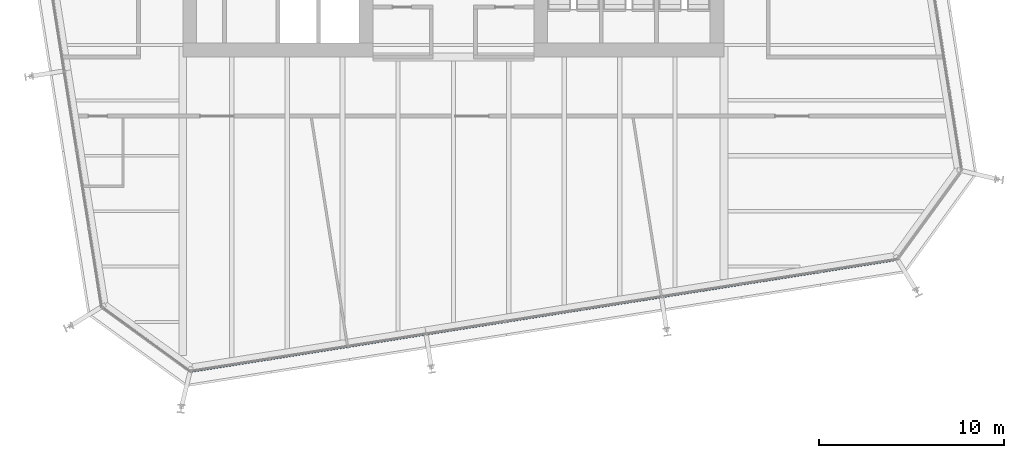
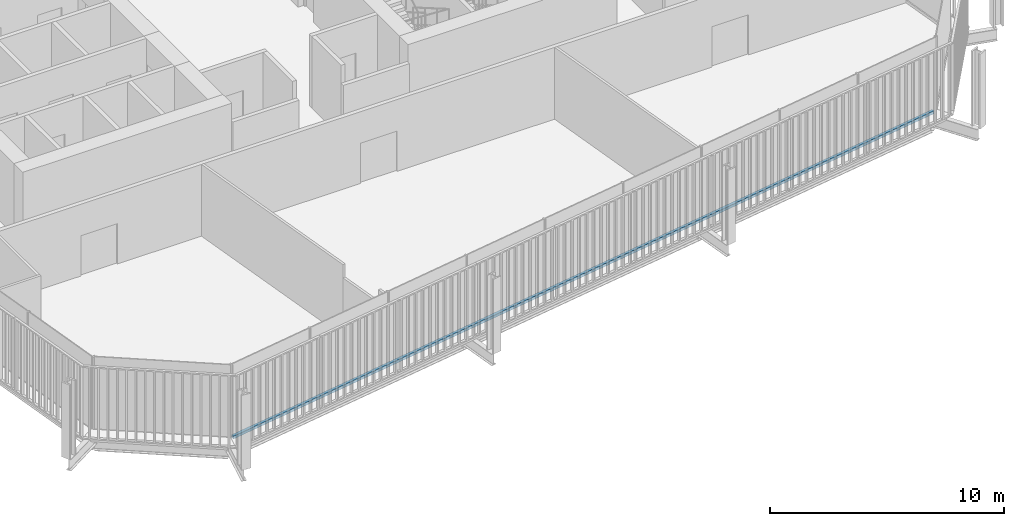
# One storey, part 7 of 21: 1 member, 1 element without a shape of its own.
"""IFC4 building model written with IfcOpenShell, lengths in metres."""

from ifc_helpers import new_model, si_unit, direction, frame, origin, origin_2d, place, context, subcontext, project, spatial, rectangle, extrude, material, layer, layer_set, material_profile, profile_set, type_object, element, aggregate, save


model = new_model("IFC4")

# Units and contexts
model_context = context("Model", 3, precision=1e-05, world=origin(), true_north=direction((0.0, 1.0)))
body_context = subcontext(model_context, "Body", "Model", "MODEL_VIEW")
ifc_project = project(units=[si_unit("LENGTHUNIT", "METRE"), si_unit("AREAUNIT", "SQUARE_METRE"), si_unit("VOLUMEUNIT", "CUBIC_METRE"), si_unit("PLANEANGLEUNIT", "RADIAN"), si_unit("MASSUNIT", "GRAM", prefix="KILO")], contexts=[model_context])

# Site, building, storey
site_placement = place(None, origin())
site = spatial("IfcSite", under=ifc_project, at=site_placement, CompositionType="ELEMENT")
building_placement = place(site_placement, origin())
building = spatial("IfcBuilding", under=site, at=building_placement, Name="Millrace Tower", CompositionType="ELEMENT")
storey_placement = place(building_placement, frame((0.0, 0.0, 133.39990234375)))
storey = spatial("IfcBuildingStorey", under=building, at=storey_placement, Name="L29", CompositionType="ELEMENT", Elevation=133.39990234375)

# Curtain wall, member
ifc_material_1 = material(Name="Aluminium and glass", Category="aluminium")
ifc_layer = layer(ifc_material_1, 0.14990234375)
ifc_layer_set = layer_set([ifc_layer], Name="Aluminium and glass")
curtain_wall_type = type_object("IfcCurtainWallType", Name="CW-1 office vision curtain wall", PredefinedType="NOTDEFINED", material=ifc_layer_set)
curtain_wall_placement = place(storey_placement, origin())
curtain_wall = element("IfcCurtainWall", 1, at=curtain_wall_placement, inside=storey, type_object=curtain_wall_type, Name="Curtain wall C-F02 L29", PredefinedType="NOTDEFINED")
ifc_material_2 = material(Name="Aluminium", Category="aluminium")
ifc_material_profile = material_profile(ifc_material_2, rectangle(XDim=0.14990234375, YDim=0.139892578125, at=origin_2d()))
ifc_profile_set = profile_set([ifc_material_profile], Name="Aluminium")
member_type = type_object("IfcMemberType", Name="CW-1 office vision curtain wall transom", PredefinedType="USERDEFINED", material=ifc_profile_set)
member_placement = place(storey_placement, frame((-14.125, -26.64599609375, 0.070068359375), z_axis=(0.987688350509, 0.156434402447, 0.0), x_axis=(-0.156434402447, 0.987688350509, 0.0)))
member = element("IfcMember", 2, at=member_placement, type_object=member_type, Name="CW1 transom C-F02.1", ObjectType="TRANSOM", PredefinedType="USERDEFINED", context=body_context, shape_type="SweptSolid", body=[
    extrude(rectangle(XDim=0.14990234375, YDim=0.139892578125, at=origin_2d()), origin(), (0.0, 0.0, 1.0), 38.499755859375),
])
aggregate(curtain_wall, [member])

save(model, "model.ifc")
